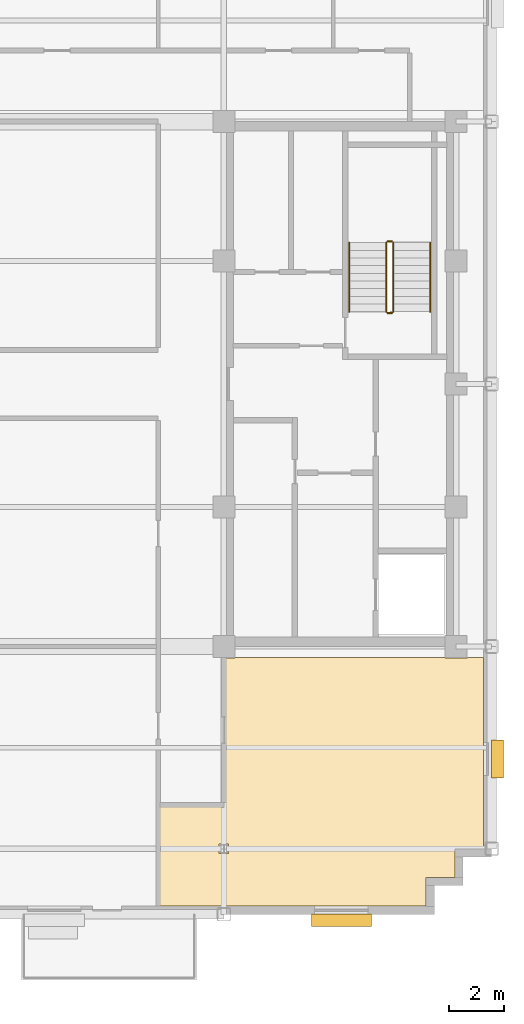
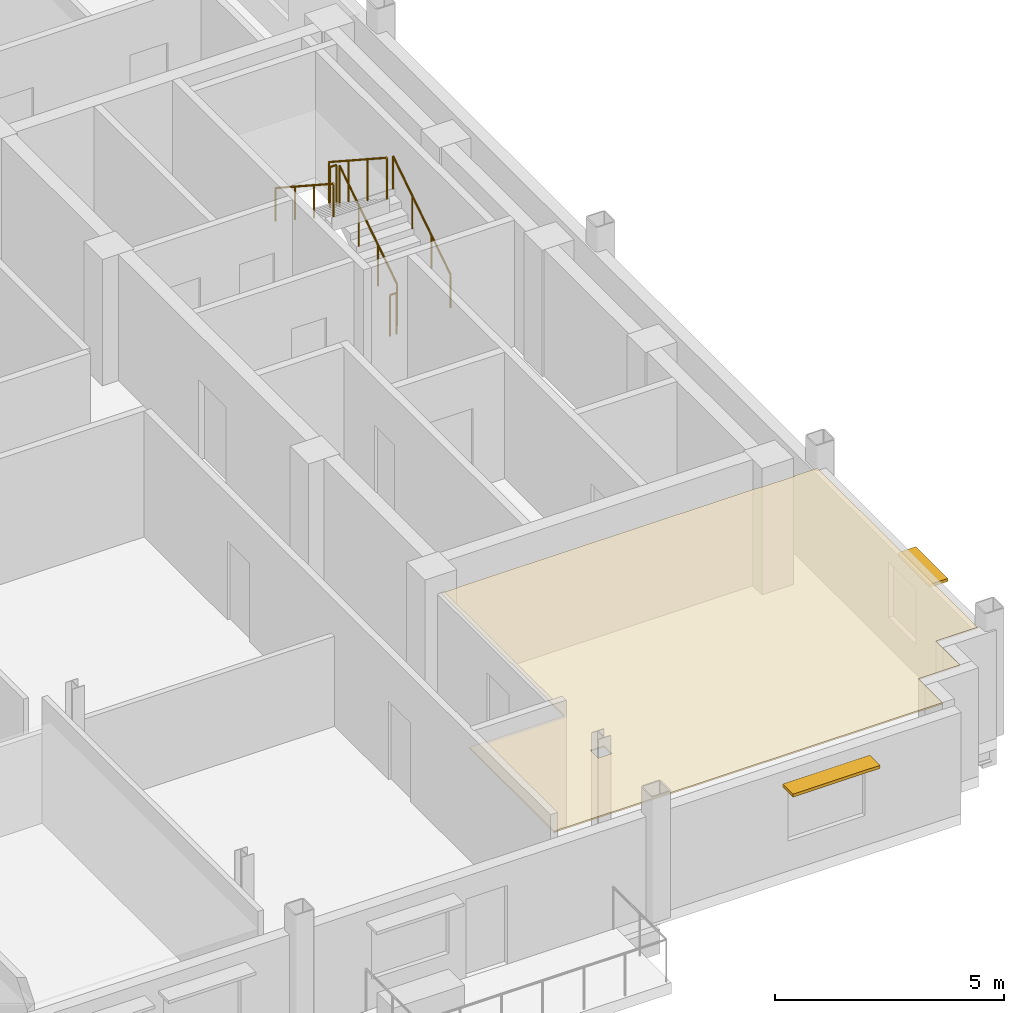
# One storey, part 12 of 13: 6 railings, 2 shading devices, 1 covering.
"""IFC4 building model written with IfcOpenShell, lengths in metres."""

from ifc_helpers import new_model, si_unit, direction, frame, origin, origin_2d, place, context, subcontext, project, spatial, polyline, rectangle, circle, outline, extrude, source, transform, mapped, material, layer, layer_set, type_object, type_shapes, element, save


model = new_model("IFC4")

# Units and contexts
model_context = context("Model", 3, precision=1e-05, world=origin(), true_north=direction((0.0, 1.0)))
body_context = subcontext(model_context, "Body", "Model", "MODEL_VIEW")
ifc_project = project(units=[si_unit("LENGTHUNIT", "METRE"), si_unit("AREAUNIT", "SQUARE_METRE"), si_unit("VOLUMEUNIT", "CUBIC_METRE"), si_unit("PLANEANGLEUNIT", "RADIAN"), si_unit("MASSUNIT", "GRAM", prefix="KILO")], contexts=[model_context])

# Site, building, storey
site_placement = place(None, origin())
site = spatial("IfcSite", under=ifc_project, at=site_placement, CompositionType="ELEMENT")
building_placement = place(site_placement, origin())
building = spatial("IfcBuilding", under=site, at=building_placement, Name="Nuvemarco Arch Tower", CompositionType="ELEMENT")
storey_placement = place(building_placement, frame((0.0, 0.0, 265.25)))
storey = spatial("IfcBuildingStorey", under=building, at=storey_placement, Name="L70", CompositionType="ELEMENT", Elevation=265.25)

# Covering
ifc_material_1 = material(Name="Mineral acoustic ceiling tile")
ifc_layer = layer(ifc_material_1, 0.0400390625, Name="COV-ACOUSTIC-CLG")
ifc_layer_set = layer_set([ifc_layer], Name="Mineral acoustic ceiling tile")
covering_type = type_object("IfcCoveringType", Name="COV-ACOUSTIC-CLG", PredefinedType="CEILING", material=ifc_layer_set)
covering_placement = place(storey_placement, frame((0.0, 0.0, 2.85009765625)))
element("IfcCovering", 1, at=covering_placement, inside=storey, type_object=covering_type, Name="L70 suspended acoustic ceiling 1", PredefinedType="CEILING", context=body_context, shape_type="SweptSolid", body=[
    extrude(outline(polyline([(16.39990234375, -19.10009765625), (6.60009765625, -19.10009765625), (6.60009765625, -15.39990234375), (9.0, -15.39990234375), (9.0, -10.014892578125), (9.4150390625, -10.014892578125), (9.4150390625, -10.0), (17.0849609375, -10.0), (17.0849609375, -10.014892578125), (17.9150390625, -10.014892578125), (17.9150390625, -10.0), (18.5, -10.0), (18.5, -17.0), (17.449951171875, -17.0), (17.449951171875, -18.050048828125), (16.39990234375, -18.050048828125), (16.39990234375, -19.10009765625)]), holes=[polyline([(9.169921875, -17.169921875), (9.169921875, -16.830078125), (8.830078125, -16.830078125), (8.830078125, -17.169921875), (9.169921875, -17.169921875)])]), origin(), (0.0, 0.0, 1.0), 0.039794921875),
])

# Railings
ifc_material_2 = material(Name="Brushed stainless steel handrail", Category="steel")
railing_type_1 = type_object("IfcRailingType", Name="RL-HANDRAIL-900", PredefinedType="HANDRAIL", material=ifc_material_2)
railing_1_placement = place(storey_placement, frame((16.550048828125, 2.64990234375, 0.1826171875)))
element("IfcRailing", 2, at=railing_1_placement, inside=storey, type_object=railing_type_1, Name="L70 ST-2 stair handrail 1", PredefinedType="HANDRAIL", context=body_context, shape_type="SweptSolid", body=[
    extrude(circle(Radius=0.02392578125, at=origin_2d()), frame((0.0, 0.0, 0.8759765625), z_axis=(0.0, 0.837786554691, 0.545997883492), x_axis=(-1.0, 0.0, 0.0)), (0.0, 0.0, 1.0), 3.008056640625),
    extrude(circle(Radius=0.02099609375, at=origin_2d()), origin(), (0.0, 0.0, 1.0), 0.851806640625),
    extrude(circle(Radius=0.02099609375, at=origin_2d()), frame((0.0, 0.840087890625, 0.54736328125)), (0.0, 0.0, 1.0), 0.851806640625),
    extrude(circle(Radius=0.02099609375, at=origin_2d()), frame((0.0, 1.679931640625, 1.094970703125)), (0.0, 0.0, 1.0), 0.851806640625),
    extrude(circle(Radius=0.02099609375, at=origin_2d()), frame((0.0, 2.52001953125, 1.642333984375)), (0.0, 0.0, 1.0), 0.851806640625),
])
railing_2_placement = place(storey_placement, frame((13.590087890625, 5.169921875, 2.007568359375)))
element("IfcRailing", 3, at=railing_2_placement, inside=storey, type_object=railing_type_1, Name="L70 ST-2 stair handrail 2", PredefinedType="HANDRAIL", context=body_context, shape_type="SweptSolid", body=[
    extrude(circle(Radius=0.02392578125, at=origin_2d()), frame((0.0, 0.0, 0.8759765625), z_axis=(0.0, -0.837786554691, 0.545997883492), x_axis=(1.0, 0.0, 0.0)), (0.0, 0.0, 1.0), 3.008056640625),
    extrude(circle(Radius=0.02099609375, at=origin_2d()), origin(), (0.0, 0.0, 1.0), 0.851806640625),
    extrude(circle(Radius=0.02099609375, at=origin_2d()), frame((0.0, -0.840087890625, 0.54736328125)), (0.0, 0.0, 1.0), 0.851806640625),
    extrude(circle(Radius=0.02099609375, at=origin_2d()), frame((0.0, -1.679931640625, 1.094970703125)), (0.0, 0.0, 1.0), 0.851806640625),
    extrude(circle(Radius=0.02099609375, at=origin_2d()), frame((0.0, -2.52001953125, 1.642333984375)), (0.0, 0.0, 1.0), 0.851806640625),
])
ifc_material_3 = material(Name="Painted balustrade steel S355", Category="steel")
railing_type_2 = type_object("IfcRailingType", Name="RL-STAIR-GUARD", PredefinedType="GUARDRAIL", material=ifc_material_3)
railing_3_placement = place(storey_placement, frame((15.199951171875, 2.64990234375, 0.1826171875)))
element("IfcRailing", 4, at=railing_3_placement, inside=storey, type_object=railing_type_2, Name="L70 ST-2 stair guard 1", PredefinedType="GUARDRAIL", context=body_context, shape_type="SweptSolid", body=[
    extrude(circle(Radius=0.02392578125, at=origin_2d()), frame((0.0, 0.0, 1.09619140625), z_axis=(0.0, 0.837786554691, 0.545997883492), x_axis=(-1.0, 0.0, 0.0)), (0.0, 0.0, 1.0), 3.008056640625),
    extrude(circle(Radius=0.02099609375, at=origin_2d()), origin(), (0.0, 0.0, 1.0), 1.072021484375),
    extrude(circle(Radius=0.02099609375, at=origin_2d()), frame((0.0, 0.840087890625, 0.54736328125)), (0.0, 0.0, 1.0), 1.072021484375),
    extrude(circle(Radius=0.02099609375, at=origin_2d()), frame((0.0, 1.679931640625, 1.094970703125)), (0.0, 0.0, 1.0), 1.072021484375),
    extrude(circle(Radius=0.02099609375, at=origin_2d()), frame((0.0, 2.52001953125, 1.642333984375)), (0.0, 0.0, 1.0), 1.072021484375),
])
railing_4_placement = place(storey_placement, frame((15.14990234375, 5.219970703125, 1.824951171875)))
element("IfcRailing", 5, at=railing_4_placement, inside=storey, type_object=railing_type_2, Name="L70 ST-2 stair guard 2", PredefinedType="GUARDRAIL", context=body_context, shape_type="SweptSolid", body=[
    extrude(circle(Radius=0.02392578125, at=origin_2d()), frame((0.0, 0.0, 1.09619140625), z_axis=(-1.0, 0.0, 0.0), x_axis=(0.0, -1.0, 0.0)), (0.0, 0.0, 1.0), 0.159912109375),
    extrude(circle(Radius=0.02099609375, at=origin_2d()), origin(), (0.0, 0.0, 1.0), 1.072021484375),
    extrude(circle(Radius=0.02099609375, at=origin_2d()), frame((-0.159912109375, 0.0, 0.0)), (0.0, 0.0, 1.0), 1.072021484375),
])
railing_5_placement = place(storey_placement, frame((14.93994140625, 5.169921875, 2.007568359375)))
element("IfcRailing", 6, at=railing_5_placement, inside=storey, type_object=railing_type_2, Name="L70 ST-2 stair guard 3", PredefinedType="GUARDRAIL", context=body_context, shape_type="SweptSolid", body=[
    extrude(circle(Radius=0.02392578125, at=origin_2d()), frame((0.0, 0.0, 1.09619140625), z_axis=(0.0, -0.837786554691, 0.545997883492), x_axis=(1.0, 0.0, 0.0)), (0.0, 0.0, 1.0), 3.008056640625),
    extrude(circle(Radius=0.02099609375, at=origin_2d()), origin(), (0.0, 0.0, 1.0), 1.072021484375),
    extrude(circle(Radius=0.02099609375, at=origin_2d()), frame((0.0, -0.840087890625, 0.54736328125)), (0.0, 0.0, 1.0), 1.072021484375),
    extrude(circle(Radius=0.02099609375, at=origin_2d()), frame((0.0, -1.679931640625, 1.094970703125)), (0.0, 0.0, 1.0), 1.072021484375),
    extrude(circle(Radius=0.02099609375, at=origin_2d()), frame((0.0, -2.52001953125, 1.642333984375)), (0.0, 0.0, 1.0), 1.072021484375),
])
railing_6_placement = place(storey_placement, frame((15.14990234375, 2.60009765625, 0.0)))
element("IfcRailing", 7, at=railing_6_placement, inside=storey, type_object=railing_type_2, Name="L70 ST-2 stair guard 4", PredefinedType="GUARDRAIL", context=body_context, shape_type="SweptSolid", body=[
    extrude(circle(Radius=0.02392578125, at=origin_2d()), frame((0.0, 0.0, 1.09619140625), z_axis=(-1.0, 0.0, 0.0), x_axis=(0.0, -1.0, 0.0)), (0.0, 0.0, 1.0), 0.159912109375),
    extrude(circle(Radius=0.02099609375, at=origin_2d()), origin(), (0.0, 0.0, 1.0), 1.072021484375),
    extrude(circle(Radius=0.02099609375, at=origin_2d()), frame((-0.159912109375, 0.0, 0.0)), (0.0, 0.0, 1.0), 1.072021484375),
])

# Shading devices
ifc_material_4 = material(Name="Anodised aluminium 6063-T6", Category="aluminium")
shading_device_type_1 = type_object("IfcShadingDeviceType", Name="SHD-BRISE-SOLEIL", PredefinedType="USERDEFINED", material=ifc_material_4)
shared_shape_1 = source(origin(), body_context, "Body", "SweptSolid", [
    extrude(rectangle(XDim=2.199951171875, YDim=0.449951171875, at=origin_2d()), origin(), (0.0, 0.0, 1.0), 0.080078125),
])
type_shapes(shading_device_type_1, [shared_shape_1])
shading_device_1_placement = place(storey_placement, frame((13.300048828125, -19.614990234375, 2.284912109375), z_axis=(0.0, 0.0, 1.0), x_axis=(1.0, 0.0, 0.0)))
element("IfcShadingDevice", 8, at=shading_device_1_placement, inside=storey, type_object=shading_device_type_1, Name="L70 horizontal brise-soleil sunshade", ObjectType="SUNSHADE", PredefinedType="USERDEFINED", context=body_context, shape_type="MappedRepresentation", body=[
    mapped(shared_shape_1, transform((0.0, 0.0, 0.0), scale=1.0)),
])
shading_device_type_2 = type_object("IfcShadingDeviceType", Name="SHD-BRISE-NARROW", PredefinedType="USERDEFINED", material=ifc_material_4)
shared_shape_2 = source(origin(), body_context, "Body", "SweptSolid", [
    extrude(rectangle(XDim=1.39990234375, YDim=0.449951171875, at=origin_2d()), origin(), (0.0, 0.0, 1.0), 0.080078125),
])
type_shapes(shading_device_type_2, [shared_shape_2])
shading_device_2_placement = place(storey_placement, frame((19.014892578125, -13.7177734375, 2.284912109375), z_axis=(0.0, 0.0, 1.0), x_axis=(0.0, 1.0, 0.0)))
element("IfcShadingDevice", 9, at=shading_device_2_placement, inside=storey, type_object=shading_device_type_2, Name="L70 horizontal brise-soleil sunshade", ObjectType="SUNSHADE", PredefinedType="USERDEFINED", context=body_context, shape_type="MappedRepresentation", body=[
    mapped(shared_shape_2, transform((0.0, 0.0, 0.0), scale=1.0)),
])

save(model, "model.ifc")
